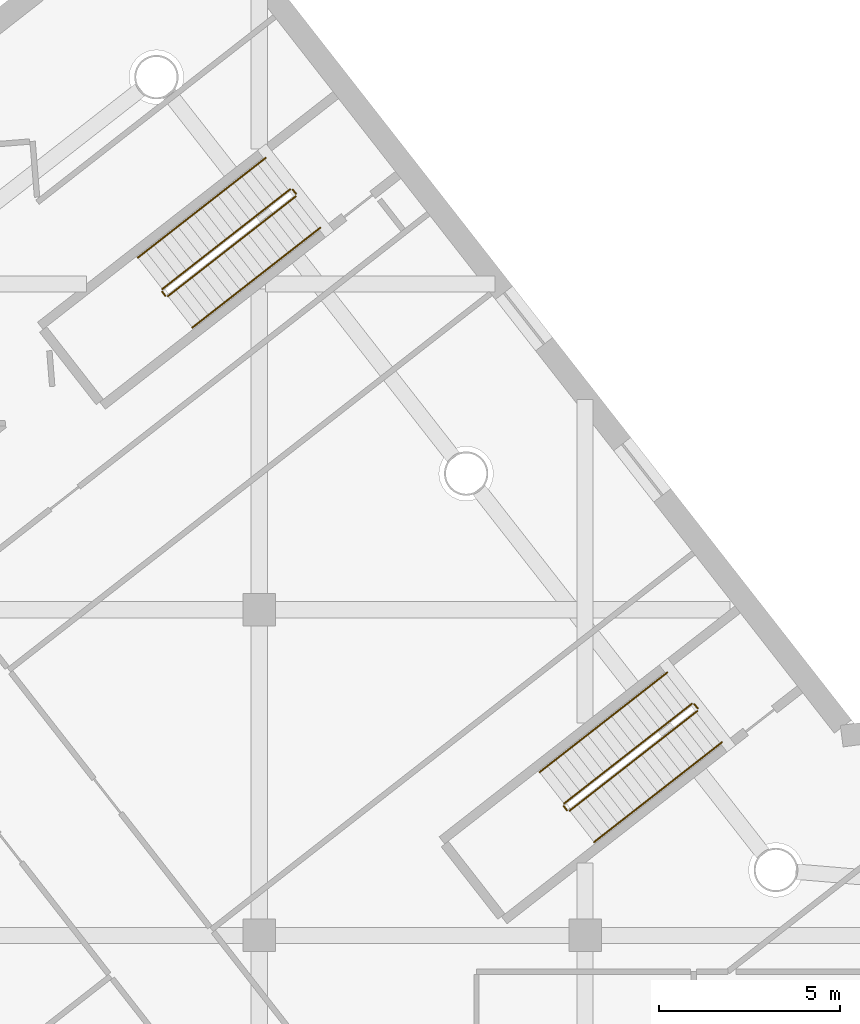
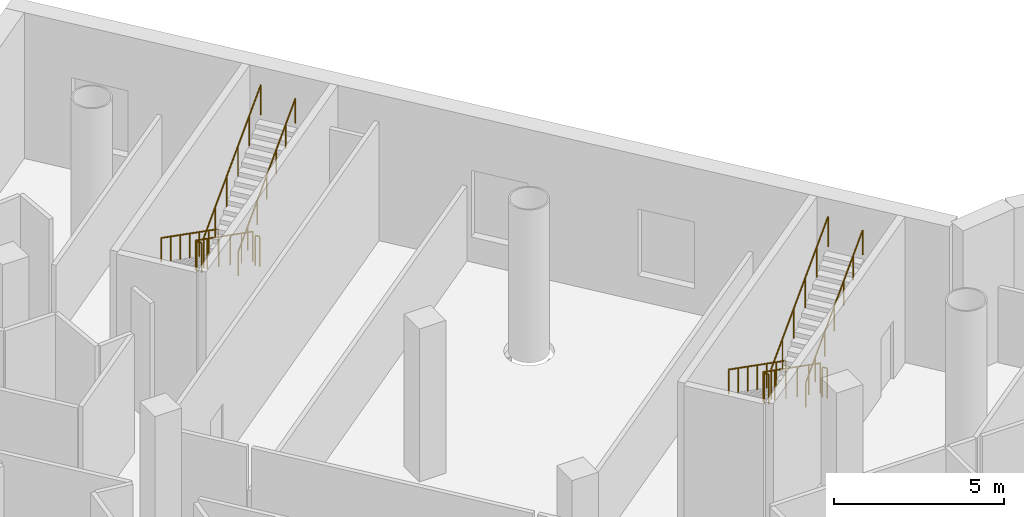
# One storey, part 23 of 23: 20 railings.
"""IFC4 building model written with IfcOpenShell, lengths in metres."""

from ifc_helpers import new_model, si_unit, direction, frame, origin, origin_2d, place, context, subcontext, project, spatial, circle, extrude, material, type_object, element, save


model = new_model("IFC4")

# Units and contexts
model_context = context("Model", 3, precision=1e-05, world=origin(), true_north=direction((0.0, 1.0)))
body_context = subcontext(model_context, "Body", "Model", "MODEL_VIEW")
ifc_project = project(units=[si_unit("LENGTHUNIT", "METRE"), si_unit("AREAUNIT", "SQUARE_METRE"), si_unit("VOLUMEUNIT", "CUBIC_METRE"), si_unit("PLANEANGLEUNIT", "RADIAN"), si_unit("MASSUNIT", "GRAM", prefix="KILO")], contexts=[model_context])

# Site, building, storey
site_placement = place(None, origin())
site = spatial("IfcSite", under=ifc_project, at=site_placement, CompositionType="ELEMENT")
building_placement = place(site_placement, origin())
building = spatial("IfcBuilding", under=site, at=building_placement, Name="Tarsis Ring Headquarters", CompositionType="ELEMENT")
storey_placement = place(building_placement, frame((0.0, 0.0, 14.0)))
storey = spatial("IfcBuildingStorey", under=building, at=storey_placement, Name="L02", CompositionType="ELEMENT", Elevation=14.0)

# Railings
ifc_material = material(Name="Stainless steel", Category="steel")
railing_type_1 = type_object("IfcRailingType", Name="PO-RL-G", PredefinedType="GUARDRAIL", material=ifc_material)
railing_1_placement = place(storey_placement, frame((-6.04931640625, 33.3994140625, 0.161865234375)))
element("IfcRailing", 1, at=railing_1_placement, inside=storey, type_object=railing_type_1, Name="L02 PS3 stair guard 1", PredefinedType="GUARDRAIL", context=body_context, shape_type="SweptSolid", body=[
    extrude(circle(Radius=0.02392578125, at=origin_2d()), frame((0.0, 0.0, 1.076171875), z_axis=(-0.682566429488, -0.532793470816, 0.500234131974), x_axis=(0.615312980545, -0.788282903514, 0.0)), (0.0, 0.0, 1.0), 5.173828125),
    extrude(circle(Radius=0.02099609375, at=origin_2d()), origin(), (0.0, 0.0, 1.0), 1.052001953125),
    extrude(circle(Radius=0.02099609375, at=origin_2d()), frame((-0.706298828125, -0.55126953125, 0.517578125)), (0.0, 0.0, 1.0), 1.052001953125),
    extrude(circle(Radius=0.02099609375, at=origin_2d()), frame((-1.41259765625, -1.1025390625, 1.03515625)), (0.0, 0.0, 1.0), 1.052001953125),
    extrude(circle(Radius=0.02099609375, at=origin_2d()), frame((-2.118896484375, -1.654052734375, 1.552978515625)), (0.0, 0.0, 1.0), 1.052001953125),
    extrude(circle(Radius=0.02099609375, at=origin_2d()), frame((-2.8251953125, -2.205322265625, 2.070556640625)), (0.0, 0.0, 1.0), 1.052001953125),
    extrude(circle(Radius=0.02099609375, at=origin_2d()), frame((-3.531494140625, -2.756591796875, 2.588134765625)), (0.0, 0.0, 1.0), 1.052001953125),
])
railing_2_placement = place(storey_placement, frame((-9.589599609375, 30.57275390625, 2.75)))
element("IfcRailing", 2, at=railing_2_placement, inside=storey, type_object=railing_type_1, Name="L02 PS3 stair guard 2", PredefinedType="GUARDRAIL", context=body_context, shape_type="SweptSolid", body=[
    extrude(circle(Radius=0.02392578125, at=origin_2d()), frame((0.0, 0.0, 1.076171875), z_axis=(0.614728420867, -0.78873884688, 0.0), x_axis=(0.78873884688, 0.614728420867, 0.0)), (0.0, 0.0, 1.0), 0.150146484375),
    extrude(circle(Radius=0.02099609375, at=origin_2d()), origin(), (0.0, 0.0, 1.0), 1.052001953125),
    extrude(circle(Radius=0.02099609375, at=origin_2d()), frame((0.09228515625, -0.118408203125, 0.0)), (0.0, 0.0, 1.0), 1.052001953125),
])
railing_3_placement = place(storey_placement, frame((-9.427001953125, 30.44580078125, 2.911865234375)))
element("IfcRailing", 3, at=railing_3_placement, inside=storey, type_object=railing_type_1, Name="L02 PS3 stair guard 3", PredefinedType="GUARDRAIL", context=body_context, shape_type="SweptSolid", body=[
    extrude(circle(Radius=0.02392578125, at=origin_2d()), frame((0.0, 0.0, 1.076171875), z_axis=(0.682566429488, 0.532793470816, 0.500234131974), x_axis=(-0.615312980545, 0.788282903514, 0.0)), (0.0, 0.0, 1.0), 5.173828125),
    extrude(circle(Radius=0.02099609375, at=origin_2d()), origin(), (0.0, 0.0, 1.0), 1.052001953125),
    extrude(circle(Radius=0.02099609375, at=origin_2d()), frame((0.706298828125, 0.55126953125, 0.517578125)), (0.0, 0.0, 1.0), 1.052001953125),
    extrude(circle(Radius=0.02099609375, at=origin_2d()), frame((1.41259765625, 1.1025390625, 1.03515625)), (0.0, 0.0, 1.0), 1.052001953125),
    extrude(circle(Radius=0.02099609375, at=origin_2d()), frame((2.118896484375, 1.654052734375, 1.552978515625)), (0.0, 0.0, 1.0), 1.052001953125),
    extrude(circle(Radius=0.02099609375, at=origin_2d()), frame((2.8251953125, 2.205322265625, 2.070556640625)), (0.0, 0.0, 1.0), 1.052001953125),
    extrude(circle(Radius=0.02099609375, at=origin_2d()), frame((3.531494140625, 2.756591796875, 2.588134765625)), (0.0, 0.0, 1.0), 1.052001953125),
])
railing_4_placement = place(storey_placement, frame((-5.979248046875, 33.390869140625, 0.0)))
element("IfcRailing", 4, at=railing_4_placement, inside=storey, type_object=railing_type_1, Name="L02 PS3 stair guard 4", PredefinedType="GUARDRAIL", context=body_context, shape_type="SweptSolid", body=[
    extrude(circle(Radius=0.02392578125, at=origin_2d()), frame((0.0, 0.0, 1.076171875), z_axis=(0.615517636689, -0.788123111528, 0.0), x_axis=(0.788123111528, 0.615517636689, 0.0)), (0.0, 0.0, 1.0), 0.14990234375),
    extrude(circle(Radius=0.02099609375, at=origin_2d()), origin(), (0.0, 0.0, 1.0), 1.052001953125),
    extrude(circle(Radius=0.02099609375, at=origin_2d()), frame((0.09228515625, -0.1181640625, 0.0)), (0.0, 0.0, 1.0), 1.052001953125),
])
railing_5_placement = place(storey_placement, frame((-17.1494140625, 47.61962890625, 0.161865234375)))
element("IfcRailing", 5, at=railing_5_placement, inside=storey, type_object=railing_type_1, Name="L02 PS4 stair guard 1", PredefinedType="GUARDRAIL", context=body_context, shape_type="SweptSolid", body=[
    extrude(circle(Radius=0.02392578125, at=origin_2d()), frame((0.0, 0.0, 1.076171875), z_axis=(-0.682549268861, -0.532827261941, 0.500221555423), x_axis=(0.615346842033, -0.788256470953, 0.0)), (0.0, 0.0, 1.0), 5.174072265625),
    extrude(circle(Radius=0.02099609375, at=origin_2d()), origin(), (0.0, 0.0, 1.0), 1.052001953125),
    extrude(circle(Radius=0.02099609375, at=origin_2d()), frame((-0.706298828125, -0.55126953125, 0.517578125)), (0.0, 0.0, 1.0), 1.052001953125),
    extrude(circle(Radius=0.02099609375, at=origin_2d()), frame((-1.41259765625, -1.102783203125, 1.03515625)), (0.0, 0.0, 1.0), 1.052001953125),
    extrude(circle(Radius=0.02099609375, at=origin_2d()), frame((-2.118896484375, -1.654052734375, 1.552978515625)), (0.0, 0.0, 1.0), 1.052001953125),
    extrude(circle(Radius=0.02099609375, at=origin_2d()), frame((-2.8251953125, -2.20556640625, 2.070556640625)), (0.0, 0.0, 1.0), 1.052001953125),
    extrude(circle(Radius=0.02099609375, at=origin_2d()), frame((-3.531494140625, -2.7568359375, 2.588134765625)), (0.0, 0.0, 1.0), 1.052001953125),
])
railing_6_placement = place(storey_placement, frame((-20.689453125, 44.792724609375, 2.75)))
element("IfcRailing", 6, at=railing_6_placement, inside=storey, type_object=railing_type_1, Name="L02 PS4 stair guard 2", PredefinedType="GUARDRAIL", context=body_context, shape_type="SweptSolid", body=[
    extrude(circle(Radius=0.02392578125, at=origin_2d()), frame((0.0, 0.0, 1.076171875), z_axis=(0.615517636689, -0.788123111528, 0.0), x_axis=(0.788123111528, 0.615517636689, 0.0)), (0.0, 0.0, 1.0), 0.14990234375),
    extrude(circle(Radius=0.02099609375, at=origin_2d()), origin(), (0.0, 0.0, 1.0), 1.052001953125),
    extrude(circle(Radius=0.02099609375, at=origin_2d()), frame((0.09228515625, -0.1181640625, 0.0)), (0.0, 0.0, 1.0), 1.052001953125),
])
railing_7_placement = place(storey_placement, frame((-20.527099609375, 44.665771484375, 2.911865234375)))
element("IfcRailing", 7, at=railing_7_placement, inside=storey, type_object=railing_type_1, Name="L02 PS4 stair guard 3", PredefinedType="GUARDRAIL", context=body_context, shape_type="SweptSolid", body=[
    extrude(circle(Radius=0.02392578125, at=origin_2d()), frame((0.0, 0.0, 1.076171875), z_axis=(0.682566429488, 0.532793470816, 0.500234131974), x_axis=(-0.615312980545, 0.788282903514, 0.0)), (0.0, 0.0, 1.0), 5.173828125),
    extrude(circle(Radius=0.02099609375, at=origin_2d()), origin(), (0.0, 0.0, 1.0), 1.052001953125),
    extrude(circle(Radius=0.02099609375, at=origin_2d()), frame((0.706298828125, 0.55126953125, 0.517578125)), (0.0, 0.0, 1.0), 1.052001953125),
    extrude(circle(Radius=0.02099609375, at=origin_2d()), frame((1.41259765625, 1.1025390625, 1.03515625)), (0.0, 0.0, 1.0), 1.052001953125),
    extrude(circle(Radius=0.02099609375, at=origin_2d()), frame((2.118896484375, 1.654052734375, 1.552978515625)), (0.0, 0.0, 1.0), 1.052001953125),
    extrude(circle(Radius=0.02099609375, at=origin_2d()), frame((2.8251953125, 2.205322265625, 2.070556640625)), (0.0, 0.0, 1.0), 1.052001953125),
    extrude(circle(Radius=0.02099609375, at=origin_2d()), frame((3.531494140625, 2.756591796875, 2.588134765625)), (0.0, 0.0, 1.0), 1.052001953125),
])
railing_8_placement = place(storey_placement, frame((-17.0791015625, 47.61083984375, 0.0)))
element("IfcRailing", 8, at=railing_8_placement, inside=storey, type_object=railing_type_1, Name="L02 PS4 stair guard 4", PredefinedType="GUARDRAIL", context=body_context, shape_type="SweptSolid", body=[
    extrude(circle(Radius=0.02392578125, at=origin_2d()), frame((0.0, 0.0, 1.076171875), z_axis=(0.615517636689, -0.788123111528, 0.0), x_axis=(0.788123111528, 0.615517636689, 0.0)), (0.0, 0.0, 1.0), 0.14990234375),
    extrude(circle(Radius=0.02099609375, at=origin_2d()), origin(), (0.0, 0.0, 1.0), 1.052001953125),
    extrude(circle(Radius=0.02099609375, at=origin_2d()), frame((0.09228515625, -0.1181640625, 0.0)), (0.0, 0.0, 1.0), 1.052001953125),
])
railing_type_2 = type_object("IfcRailingType", Name="PO-RL-H", PredefinedType="HANDRAIL", material=ifc_material)
railing_9_placement = place(storey_placement, frame((-6.726318359375, 34.2666015625, 0.161865234375)))
element("IfcRailing", 9, at=railing_9_placement, inside=storey, type_object=railing_type_2, Name="L02 PS3 stair handrail 1", PredefinedType="HANDRAIL", context=body_context, shape_type="SweptSolid", body=[
    extrude(circle(Radius=0.02392578125, at=origin_2d()), frame((0.0, 0.0, 0.8759765625), z_axis=(-0.682531079358, -0.532886741901, 0.500183012523), x_axis=(0.615399709994, -0.7882151971, 0.0)), (0.0, 0.0, 1.0), 1.724365234375),
    extrude(circle(Radius=0.02099609375, at=origin_2d()), origin(), (0.0, 0.0, 1.0), 0.851806640625),
    extrude(circle(Radius=0.02099609375, at=origin_2d()), frame((-0.58837890625, -0.45947265625, 0.43115234375)), (0.0, 0.0, 1.0), 0.851806640625),
    extrude(circle(Radius=0.02099609375, at=origin_2d()), frame((-1.177001953125, -0.9189453125, 0.862548828125)), (0.0, 0.0, 1.0), 0.851806640625),
])
railing_10_placement = place(storey_placement, frame((-7.9033203125, 33.34765625, 1.0244140625)))
element("IfcRailing", 10, at=railing_10_placement, inside=storey, type_object=railing_type_2, Name="L02 PS3 stair handrail 1 bay 2", PredefinedType="HANDRAIL", context=body_context, shape_type="SweptSolid", body=[
    extrude(circle(Radius=0.02392578125, at=origin_2d()), frame((0.0, 0.0, 0.8759765625), z_axis=(-0.682609836864, -0.532696146022, 0.500278549041), x_axis=(0.615218814783, -0.78835639779, 0.0)), (0.0, 0.0, 1.0), 1.724609375),
    extrude(circle(Radius=0.02099609375, at=origin_2d()), frame((-0.588623046875, -0.45947265625, 0.431396484375)), (0.0, 0.0, 1.0), 0.851806640625),
    extrude(circle(Radius=0.02099609375, at=origin_2d()), frame((-1.17724609375, -0.918701171875, 0.86279296875)), (0.0, 0.0, 1.0), 0.851806640625),
])
railing_11_placement = place(storey_placement, frame((-9.08056640625, 32.428955078125, 1.88720703125)))
element("IfcRailing", 11, at=railing_11_placement, inside=storey, type_object=railing_type_2, Name="L02 PS3 stair handrail 1 bay 3", PredefinedType="HANDRAIL", context=body_context, shape_type="SweptSolid", body=[
    extrude(circle(Radius=0.02392578125, at=origin_2d()), frame((0.0, 0.0, 0.8759765625), z_axis=(-0.682558360719, -0.532797525871, 0.500240822643), x_axis=(0.615320410421, -0.788277103892, 0.0)), (0.0, 0.0, 1.0), 1.724853515625),
    extrude(circle(Radius=0.02099609375, at=origin_2d()), frame((-0.588623046875, -0.45947265625, 0.431396484375)), (0.0, 0.0, 1.0), 0.851806640625),
    extrude(circle(Radius=0.02099609375, at=origin_2d()), frame((-1.17724609375, -0.9189453125, 0.86279296875)), (0.0, 0.0, 1.0), 0.851806640625),
])
railing_12_placement = place(storey_placement, frame((-8.750244140625, 29.57861328125, 2.911865234375)))
element("IfcRailing", 12, at=railing_12_placement, inside=storey, type_object=railing_type_2, Name="L02 PS3 stair handrail 2", PredefinedType="HANDRAIL", context=body_context, shape_type="SweptSolid", body=[
    extrude(circle(Radius=0.02392578125, at=origin_2d()), frame((0.0, 0.0, 0.8759765625), z_axis=(0.682606690651, 0.532835251682, 0.500134682304), x_axis=(-0.615320410421, 0.788277103892, 0.0)), (0.0, 0.0, 1.0), 1.724609375),
    extrude(circle(Radius=0.02099609375, at=origin_2d()), origin(), (0.0, 0.0, 1.0), 0.851806640625),
    extrude(circle(Radius=0.02099609375, at=origin_2d()), frame((0.588623046875, 0.45947265625, 0.43115234375)), (0.0, 0.0, 1.0), 0.851806640625),
    extrude(circle(Radius=0.02099609375, at=origin_2d()), frame((1.17724609375, 0.9189453125, 0.862548828125)), (0.0, 0.0, 1.0), 0.851806640625),
])
railing_13_placement = place(storey_placement, frame((-7.572998046875, 30.49755859375, 3.7744140625)))
element("IfcRailing", 13, at=railing_13_placement, inside=storey, type_object=railing_type_2, Name="L02 PS3 stair handrail 2 bay 2", PredefinedType="HANDRAIL", context=body_context, shape_type="SweptSolid", body=[
    extrude(circle(Radius=0.02392578125, at=origin_2d()), frame((0.0, 0.0, 0.8759765625), z_axis=(0.682482745441, 0.532849005152, 0.500289156272), x_axis=(-0.615399709994, 0.7882151971, 0.0)), (0.0, 0.0, 1.0), 1.724609375),
    extrude(circle(Radius=0.02099609375, at=origin_2d()), frame((0.58837890625, 0.45947265625, 0.431396484375)), (0.0, 0.0, 1.0), 0.851806640625),
    extrude(circle(Radius=0.02099609375, at=origin_2d()), frame((1.177001953125, 0.9189453125, 0.86279296875)), (0.0, 0.0, 1.0), 0.851806640625),
])
railing_14_placement = place(storey_placement, frame((-6.39599609375, 31.41650390625, 4.63720703125)))
element("IfcRailing", 14, at=railing_14_placement, inside=storey, type_object=railing_type_2, Name="L02 PS3 stair handrail 2 bay 3", PredefinedType="HANDRAIL", context=body_context, shape_type="SweptSolid", body=[
    extrude(circle(Radius=0.02392578125, at=origin_2d()), frame((0.0, 0.0, 0.8759765625), z_axis=(0.682558360719, 0.532797525871, 0.500240822643), x_axis=(-0.615320410421, 0.788277103892, 0.0)), (0.0, 0.0, 1.0), 1.724853515625),
    extrude(circle(Radius=0.02099609375, at=origin_2d()), frame((0.588623046875, 0.45947265625, 0.431396484375)), (0.0, 0.0, 1.0), 0.851806640625),
    extrude(circle(Radius=0.02099609375, at=origin_2d()), frame((1.17724609375, 0.9189453125, 0.86279296875)), (0.0, 0.0, 1.0), 0.851806640625),
])
railing_15_placement = place(storey_placement, frame((-17.826171875, 48.486572265625, 0.161865234375)))
element("IfcRailing", 15, at=railing_15_placement, inside=storey, type_object=railing_type_2, Name="L02 PS4 stair handrail 1", PredefinedType="HANDRAIL", context=body_context, shape_type="SweptSolid", body=[
    extrude(circle(Radius=0.02392578125, at=origin_2d()), frame((0.0, 0.0, 0.8759765625), z_axis=(-0.682606690651, -0.532835251682, 0.500134682304), x_axis=(0.615320410421, -0.788277103892, 0.0)), (0.0, 0.0, 1.0), 1.724609375),
    extrude(circle(Radius=0.02099609375, at=origin_2d()), origin(), (0.0, 0.0, 1.0), 0.851806640625),
    extrude(circle(Radius=0.02099609375, at=origin_2d()), frame((-0.588623046875, -0.45947265625, 0.43115234375)), (0.0, 0.0, 1.0), 0.851806640625),
    extrude(circle(Radius=0.02099609375, at=origin_2d()), frame((-1.17724609375, -0.9189453125, 0.862548828125)), (0.0, 0.0, 1.0), 0.851806640625),
])
railing_16_placement = place(storey_placement, frame((-19.00341796875, 47.567626953125, 1.0244140625)))
element("IfcRailing", 16, at=railing_16_placement, inside=storey, type_object=railing_type_2, Name="L02 PS4 stair handrail 1 bay 2", PredefinedType="HANDRAIL", context=body_context, shape_type="SweptSolid", body=[
    extrude(circle(Radius=0.02392578125, at=origin_2d()), frame((0.0, 0.0, 0.8759765625), z_axis=(-0.682609836864, -0.532696146022, 0.500278549041), x_axis=(0.615218814783, -0.78835639779, 0.0)), (0.0, 0.0, 1.0), 1.724609375),
    extrude(circle(Radius=0.02099609375, at=origin_2d()), frame((-0.588623046875, -0.45947265625, 0.431396484375)), (0.0, 0.0, 1.0), 0.851806640625),
    extrude(circle(Radius=0.02099609375, at=origin_2d()), frame((-1.17724609375, -0.918701171875, 0.86279296875)), (0.0, 0.0, 1.0), 0.851806640625),
])
railing_17_placement = place(storey_placement, frame((-20.1806640625, 46.64892578125, 1.88720703125)))
element("IfcRailing", 17, at=railing_17_placement, inside=storey, type_object=railing_type_2, Name="L02 PS4 stair handrail 1 bay 3", PredefinedType="HANDRAIL", context=body_context, shape_type="SweptSolid", body=[
    extrude(circle(Radius=0.02392578125, at=origin_2d()), frame((0.0, 0.0, 0.8759765625), z_axis=(-0.682482745441, -0.532849005152, 0.500289156272), x_axis=(0.615399709994, -0.7882151971, 0.0)), (0.0, 0.0, 1.0), 1.724609375),
    extrude(circle(Radius=0.02099609375, at=origin_2d()), frame((-0.58837890625, -0.45947265625, 0.431396484375)), (0.0, 0.0, 1.0), 0.851806640625),
    extrude(circle(Radius=0.02099609375, at=origin_2d()), frame((-1.177001953125, -0.9189453125, 0.86279296875)), (0.0, 0.0, 1.0), 0.851806640625),
])
railing_18_placement = place(storey_placement, frame((-19.85009765625, 43.798583984375, 2.911865234375)))
element("IfcRailing", 18, at=railing_18_placement, inside=storey, type_object=railing_type_2, Name="L02 PS4 stair handrail 2", PredefinedType="HANDRAIL", context=body_context, shape_type="SweptSolid", body=[
    extrude(circle(Radius=0.02392578125, at=origin_2d()), frame((0.0, 0.0, 0.8759765625), z_axis=(0.682531079358, 0.532886741901, 0.500183012523), x_axis=(-0.615399709994, 0.7882151971, 0.0)), (0.0, 0.0, 1.0), 1.724365234375),
    extrude(circle(Radius=0.02099609375, at=origin_2d()), origin(), (0.0, 0.0, 1.0), 0.851806640625),
    extrude(circle(Radius=0.02099609375, at=origin_2d()), frame((0.58837890625, 0.45947265625, 0.43115234375)), (0.0, 0.0, 1.0), 0.851806640625),
    extrude(circle(Radius=0.02099609375, at=origin_2d()), frame((1.177001953125, 0.9189453125, 0.862548828125)), (0.0, 0.0, 1.0), 0.851806640625),
])
for number, where, name in (
    (19, (-18.673095703125, 44.717529296875, 3.7744140625), "L02 PS4 stair handrail 2 bay 2"),
    (20, (-17.495849609375, 45.636474609375, 4.63720703125), "L02 PS4 stair handrail 2 bay 3"),
):
    element("IfcRailing", number, at=place(storey_placement, frame(where)), inside=storey, type_object=railing_type_2, Name=name, PredefinedType="HANDRAIL", context=body_context, shape_type="SweptSolid", body=[
        extrude(circle(Radius=0.02392578125, at=origin_2d()), frame((0.0, 0.0, 0.8759765625), z_axis=(0.682558360719, 0.532797525871, 0.500240822643), x_axis=(-0.615320410421, 0.788277103892, 0.0)), (0.0, 0.0, 1.0), 1.724853515625),
        extrude(circle(Radius=0.02099609375, at=origin_2d()), frame((0.588623046875, 0.45947265625, 0.431396484375)), (0.0, 0.0, 1.0), 0.851806640625),
        extrude(circle(Radius=0.02099609375, at=origin_2d()), frame((1.17724609375, 0.9189453125, 0.86279296875)), (0.0, 0.0, 1.0), 0.851806640625),
    ])

save(model, "model.ifc")
